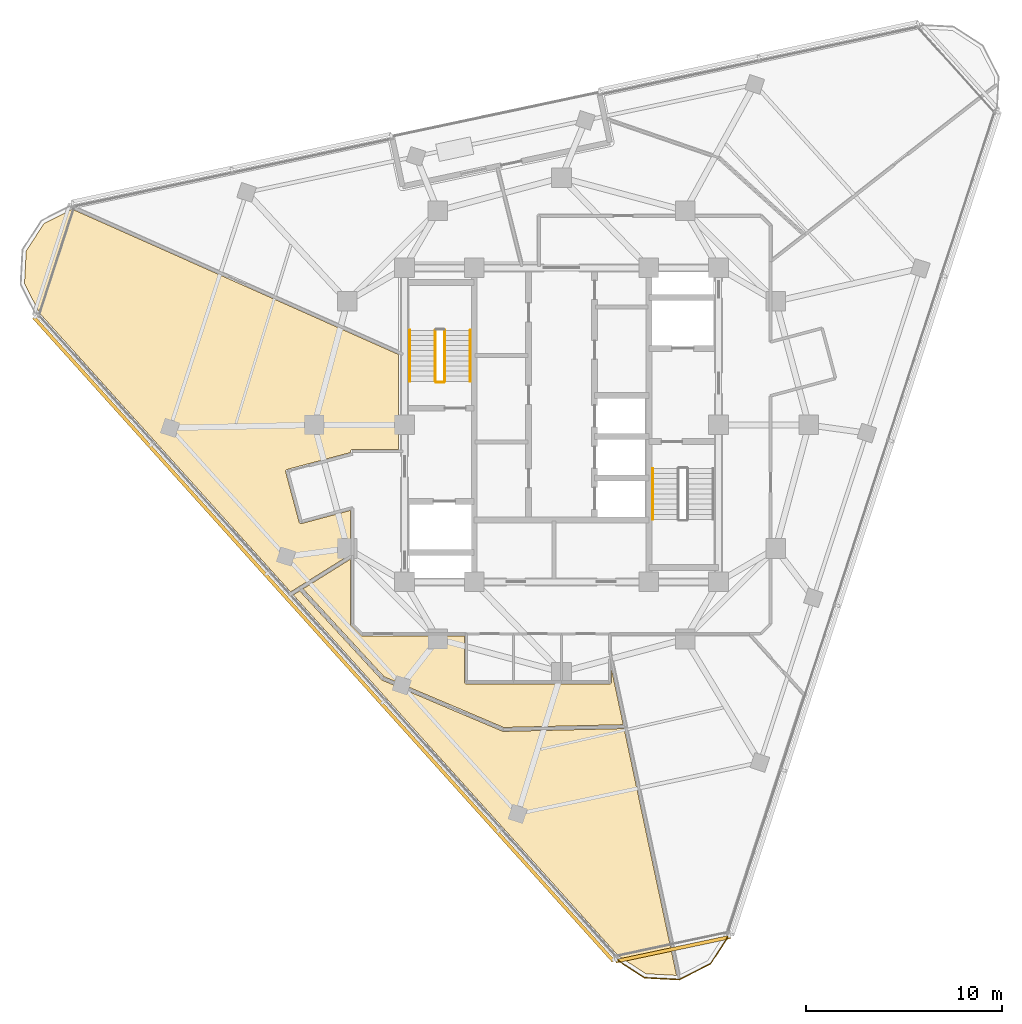
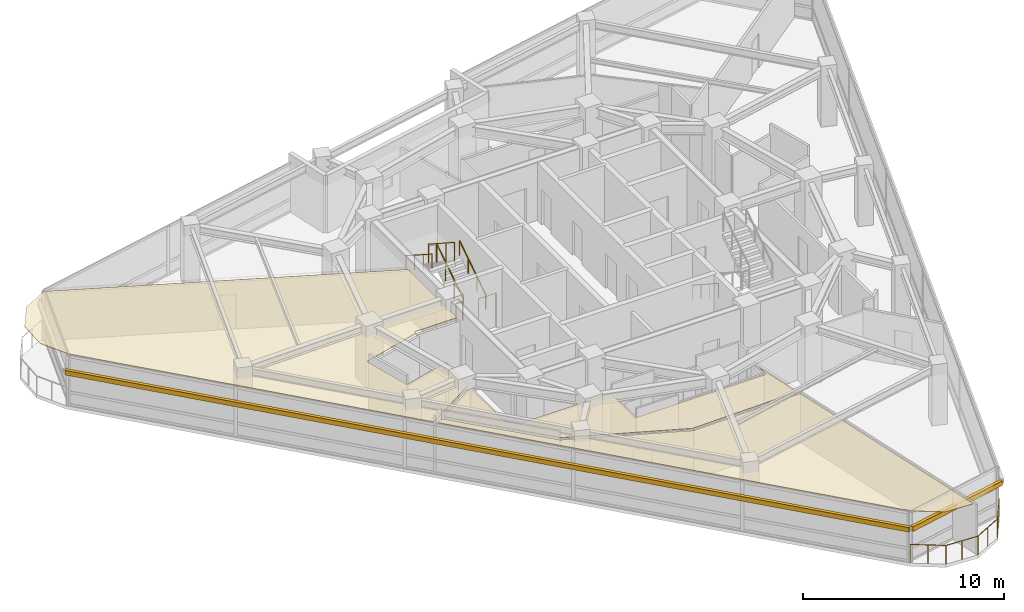
# One storey, part 12 of 15: 7 railings, 3 coverings, 2 shading devices.
"""IFC4 building model written with IfcOpenShell, lengths in metres."""

import ifcopenshell
import ifcopenshell.guid

model = None  # the IFC model being written
_history = None  # IfcOwnerHistory: only IFC2X3 demands one
_inside = {}  # id of a spatial element -> (the spatial element, [elements in it])
_under = {}  # id of a project, library or spatial element -> (it, [spatial elements below it])
_declared = {}  # id of a project -> (the project, [libraries it declares])
_typed = {}  # id of a type object -> (the type object, [elements of that type])
_made_of = {}  # id of a material, layer set ... -> (it, [elements and type objects made of it])


def new_model(schema):
    """Start an empty IFC model of exactly this schema.

    Asked for "IFC4X3", IfcOpenShell would pick the latest addendum, in which some entities
    have other attributes; the version numbers below select the first issue.
    IFC2X3 requires an IfcOwnerHistory on every rooted entity: one is made here for all.
    """
    global model, _history
    if schema == "IFC4X3":
        model = ifcopenshell.file(schema_version=(4, 3, 0, 0))
    else:
        model = ifcopenshell.file(schema=schema)
    _inside.clear()
    _under.clear()
    _declared.clear()
    _typed.clear()
    _made_of.clear()
    _history = None
    if model.schema == "IFC2X3":
        org = make("IfcOrganization", Name="unknown")
        user = make(
            "IfcPersonAndOrganization",
            ThePerson=make("IfcPerson", FamilyName="unknown"),
            TheOrganization=org,
        )
        app = make(
            "IfcApplication",
            ApplicationDeveloper=org,
            Version="unknown",
            ApplicationFullName="unknown",
            ApplicationIdentifier="unknown",
        )
        _history = make(
            "IfcOwnerHistory",
            OwningUser=user,
            OwningApplication=app,
            ChangeAction="ADDED",
            CreationDate=0,
        )
    return model


def make(cls, **values):
    """One entity of the class cls with the attributes given. An attribute that is None is left unset."""
    return model.create_entity(
        cls, **{name: value for name, value in values.items() if value is not None}
    )


def rooted(cls, **values):
    """An entity with a GlobalId (a new one), such as an element, a storey or a relation."""
    return make(cls, GlobalId=ifcopenshell.guid.new(), OwnerHistory=_history, **values)


def si_unit(unit_type, name, prefix=None):
    """IfcSIUnit, for example si_unit("LENGTHUNIT", "METRE", prefix="MILLI")."""
    return make("IfcSIUnit", UnitType=unit_type, Prefix=prefix, Name=name)


def assignment(units):
    """IfcUnitAssignment: the units of a project."""
    return None if units is None else make("IfcUnitAssignment", Units=units)


def point(xyz):
    """IfcCartesianPoint."""
    return None if xyz is None else make("IfcCartesianPoint", Coordinates=xyz)


def direction(xyz):
    """IfcDirection."""
    return None if xyz is None else make("IfcDirection", DirectionRatios=xyz)


def frame(location, z_axis=None, x_axis=None):
    """IfcAxis2Placement3D, a coordinate frame: its origin and axes. An axis left out is left unset."""
    return make(
        "IfcAxis2Placement3D",
        Location=point(location),
        Axis=direction(z_axis),
        RefDirection=direction(x_axis),
    )


def frame_2d(location, x_axis=None):
    """IfcAxis2Placement2D, a coordinate frame in the plane: its origin and x axis."""
    return make(
        "IfcAxis2Placement2D", Location=point(location), RefDirection=direction(x_axis)
    )


def origin():
    """The frame at (0, 0, 0) with its axes left unset."""
    return frame((0.0, 0.0, 0.0))


def origin_2d():
    """The frame at (0, 0) in the plane with its x axis left unset."""
    return frame_2d((0.0, 0.0))


def place(relative_to, where):
    """IfcLocalPlacement: puts the frame where relative to a parent placement (None: the world)."""
    return make(
        "IfcLocalPlacement", PlacementRelTo=relative_to, RelativePlacement=where
    )


def context(
    kind, dimensions, precision=None, world=None, true_north=None, identifier=None
):
    """IfcGeometricRepresentationContext, for example the 3D "Model" context."""
    return make(
        "IfcGeometricRepresentationContext",
        ContextIdentifier=identifier,
        ContextType=kind,
        CoordinateSpaceDimension=dimensions,
        Precision=precision,
        WorldCoordinateSystem=world,
        TrueNorth=true_north,
    )


def subcontext(parent, identifier, kind, view, scale=None):
    """IfcGeometricRepresentationSubContext, for example "Body" below "Model"."""
    return make(
        "IfcGeometricRepresentationSubContext",
        ContextIdentifier=identifier,
        ContextType=kind,
        ParentContext=parent,
        TargetScale=scale,
        TargetView=view,
    )


def project(units=None, contexts=None):
    """IfcProject with its units and contexts."""
    return rooted(
        "IfcProject",
        Name="project",
        RepresentationContexts=contexts,
        UnitsInContext=assignment(units),
    )


def spatial(cls, under=None, at=None, **own):
    """A site, building, storey or space (cls), placed at a placement, below another one or the project."""
    s = rooted(cls, ObjectPlacement=at, **own)
    if under is not None:
        _under.setdefault(under.id(), (under, []))[1].append(s)
    return s


def polyline(points):
    """IfcPolyline through the points."""
    return make("IfcPolyline", Points=[point(p) for p in points])


def profile(cls, at=None, kind="AREA", **sizes):
    """A parametric profile (cls). Its sizes go by their IFC names, for example OverallWidth=200.0."""
    return make(cls, ProfileType=kind, Position=at, **sizes)


def rectangle(**sizes):
    """IfcRectangleProfileDef."""
    return profile("IfcRectangleProfileDef", **sizes)


def circle(**sizes):
    """IfcCircleProfileDef."""
    return profile("IfcCircleProfileDef", **sizes)


def outline(outer, holes=None, kind="AREA"):
    """IfcArbitraryClosedProfileDef: a profile drawn as a closed curve; with holes, ...WithVoids."""
    if holes is None:
        return make("IfcArbitraryClosedProfileDef", ProfileType=kind, OuterCurve=outer)
    return make(
        "IfcArbitraryProfileDefWithVoids",
        ProfileType=kind,
        OuterCurve=outer,
        InnerCurves=holes,
    )


def extrude(swept, where, along, depth):
    """IfcExtrudedAreaSolid: the profile swept, set in the frame where, extruded along a direction by depth."""
    return make(
        "IfcExtrudedAreaSolid",
        SweptArea=swept,
        Position=where,
        ExtrudedDirection=direction(along),
        Depth=depth,
    )


def shape(context_of_items, identifier, shape_type, items):
    """IfcShapeRepresentation: the items that make up one representation, for example the "Body"."""
    return make(
        "IfcShapeRepresentation",
        ContextOfItems=context_of_items,
        RepresentationIdentifier=identifier,
        RepresentationType=shape_type,
        Items=items,
    )


def material(Name=None, Category=None):
    """IfcMaterial."""
    return make("IfcMaterial", Name=Name, Category=Category)


def layer(
    of_material, thickness, ventilated=None, Name=None, Category=None, Priority=None
):
    """IfcMaterialLayer: one layer of a wall or slab, of a material (None: an air gap)."""
    return make(
        "IfcMaterialLayer",
        Material=of_material,
        LayerThickness=thickness,
        IsVentilated=ventilated,
        Name=Name,
        Category=Category,
        Priority=Priority,
    )


def layer_set(layers, Name=None):
    """IfcMaterialLayerSet."""
    return make("IfcMaterialLayerSet", MaterialLayers=layers, LayerSetName=Name)


def made_of(thing, what):
    """Note that an element or type object is made of a material, layer set ...; save() writes the relation."""
    if what is not None:
        _made_of.setdefault(what.id(), (what, []))[1].append(thing)
    return thing


def type_object(cls, material=None, **own):
    """A type object (cls), such as IfcWallType, which elements share."""
    return made_of(rooted(cls, **own), material)


def element(
    cls,
    number,
    at=None,
    inside=None,
    cuts=None,
    type_object=None,
    material=None,
    context=None,
    identifier="Body",
    shape_type=None,
    held_by="IfcProductDefinitionShape",
    body=None,
    shapes=None,
    **own,
):
    """One element of the class cls, such as IfcWall. Its Tag is "e" and its number.

    at: its placement. inside: the storey or other place that contains it. cuts: it is an
    opening in that element (IfcRelVoidsElement). A single representation is given by context,
    identifier, shape_type and body (its items); several are given by shapes. held_by: the class
    of the entity that holds the representations. save() writes the other relations.
    """
    e = rooted(cls, Tag="e%d" % number, ObjectPlacement=at, **own)
    if body is not None:
        shapes = [shape(context, identifier, shape_type, body)]
    if shapes is not None:
        e.Representation = make(held_by, Representations=shapes)
    if inside is not None:
        _inside.setdefault(inside.id(), (inside, []))[1].append(e)
    if cuts is not None:
        rooted(
            "IfcRelVoidsElement", RelatingBuildingElement=cuts, RelatedOpeningElement=e
        )
    if type_object is not None:
        _typed.setdefault(type_object.id(), (type_object, []))[1].append(e)
    return made_of(e, material)


def aggregate(whole, parts):
    """IfcRelAggregates: a whole, such as a stair, and the parts it consists of."""
    return rooted("IfcRelAggregates", RelatingObject=whole, RelatedObjects=parts)


def save(model, path):
    """Write the relations noted so far, then the file.

    IfcRelAggregates (storeys below a building ...), IfcRelContainedInSpatialStructure (elements
    in a storey), IfcRelDefinesByType, IfcRelAssociatesMaterial and IfcRelDeclares: one each for
    every whole, place, type object, material and project.
    """
    for whole, parts in _under.values():
        aggregate(whole, parts)
    for where, things in _inside.values():
        rooted(
            "IfcRelContainedInSpatialStructure",
            RelatedElements=things,
            RelatingStructure=where,
        )
    for kind, things in _typed.values():
        rooted("IfcRelDefinesByType", RelatedObjects=things, RelatingType=kind)
    for what, things in _made_of.values():
        rooted("IfcRelAssociatesMaterial", RelatedObjects=things, RelatingMaterial=what)
    for by, libraries in _declared.values():
        rooted("IfcRelDeclares", RelatingContext=by, RelatedDefinitions=libraries)
    model.write(path)


model = new_model("IFC4")

# Units and contexts
model_context = context("Model", 3, precision=1e-05, world=origin(), true_north=direction((0.0, 1.0)))
body_context = subcontext(model_context, "Body", "Model", "MODEL_VIEW")
ifc_project = project(units=[si_unit("LENGTHUNIT", "METRE"), si_unit("AREAUNIT", "SQUARE_METRE"), si_unit("VOLUMEUNIT", "CUBIC_METRE"), si_unit("PLANEANGLEUNIT", "RADIAN"), si_unit("MASSUNIT", "GRAM", prefix="KILO")], contexts=[model_context])

# Site, building, storey
site_placement = place(None, origin())
site = spatial("IfcSite", under=ifc_project, at=site_placement, CompositionType="ELEMENT")
building_placement = place(site_placement, origin())
building = spatial("IfcBuilding", under=site, at=building_placement, Name="Terralouvre Media Tower", CompositionType="ELEMENT")
storey_placement = place(building_placement, frame((0.0, 0.0, 290.60009765625)))
storey = spatial("IfcBuildingStorey", under=building, at=storey_placement, Name="L75", CompositionType="ELEMENT", Elevation=290.60009765625)

# Coverings
ifc_material_1 = material(Name="Perforated aluminium acoustic ceiling baffle", Category="aluminium")
ifc_layer_1 = layer(ifc_material_1, 0.0400390625, Name="Perforated Acoustic Metal Tile Ceiling CL-AC1")
ifc_layer_set_1 = layer_set([ifc_layer_1], Name="Perforated aluminium acoustic ceiling baffle")
covering_type = type_object("IfcCoveringType", Name="Perforated Acoustic Metal Tile Ceiling CL-AC1", PredefinedType="CEILING", material=ifc_layer_set_1)
covering_1_placement = place(storey_placement, frame((0.0, 0.0, 2.97998046875), z_axis=(0.0, 0.0, 1.0), x_axis=(0.309016994375, 0.951056516295, 0.0)))
element("IfcCovering", 1, at=covering_1_placement, inside=storey, type_object=covering_type, Name="L75 Admissions Reception 1 Acoustic Ceiling", PredefinedType="CEILING", context=body_context, shape_type="SweptSolid", body=[
    extrude(outline(polyline([(-9.5986328125, 8.1845703125), (-7.464111328125, 8.8779296875), (-8.87451171875, 11.049560546875), (-8.87939453125, 11.05810546875), (-8.883544921875, 11.06689453125), (-8.88671875, 11.076416015625), (-8.888916015625, 11.0859375), (-8.89013671875, 11.095458984375), (-8.890625, 11.10546875), (-8.889892578125, 11.115234375), (-8.888427734375, 11.124755859375), (-8.885986328125, 11.13427734375), (-8.882568359375, 11.1435546875), (-8.878173828125, 11.15234375), (-8.873046875, 11.16064453125), (-8.866943359375, 11.16845703125), (-8.8603515625, 11.17578125), (-8.85302734375, 11.18212890625), (-8.844970703125, 11.18798828125), (-6.621826171875, 12.63037109375), (-6.613525390625, 12.635498046875), (-6.6044921875, 12.639404296875), (-6.59521484375, 12.642578125), (-6.585693359375, 12.644775390625), (-6.576171875, 12.646240234375), (-6.566162109375, 12.646484375), (-6.556396484375, 12.64599609375), (-6.546875, 12.644287109375), (-6.537109375, 12.641845703125), (-6.528076171875, 12.638427734375), (-6.519287109375, 12.634033203125), (-6.510986328125, 12.62890625), (-6.503173828125, 12.623046875), (-6.495849609375, 12.616455078125), (-6.489501953125, 12.60888671875), (-6.483642578125, 12.60107421875), (-4.658447265625, 9.78955078125), (-4.60595703125, 9.806640625), (-4.596435546875, 9.809326171875), (-4.586669921875, 9.810791015625), (-4.576904296875, 9.8115234375), (-4.567138671875, 9.811279296875), (-4.557373046875, 9.81005859375), (-4.5478515625, 9.807861328125), (-4.53857421875, 9.8046875), (-4.529541015625, 9.80078125), (-4.52099609375, 9.795654296875), (-4.51318359375, 9.7900390625), (-4.505615234375, 9.78369140625), (-4.4990234375, 9.776611328125), (-4.492919921875, 9.768798828125), (-4.48779296875, 9.760498046875), (-4.4833984375, 9.751708984375), (-4.479736328125, 9.742431640625), (-3.7568359375, 7.51708984375), (0.846435546875, 9.0126953125), (2.7490234375, 27.111572265625), (1.6064453125, 28.255126953125), (0.0, 28.684326171875), (-1.606201171875, 28.254150390625), (-2.803466796875, 27.057861328125), (-12.361328125, 10.5029296875), (-11.97607421875, 10.179443359375), (-9.5986328125, 8.1845703125)])), origin(), (0.0, 0.0, 1.0), 0.0400390625),
])
covering_2_placement = place(storey_placement, frame((0.0, 0.0, 2.97998046875), z_axis=(0.0, 0.0, 1.0), x_axis=(0.309016994375, 0.951056516295, 0.0)))
element("IfcCovering", 2, at=covering_2_placement, inside=storey, type_object=covering_type, Name="L75 Journalism Training Classroom 3 Acoustic Ceiling", PredefinedType="CEILING", context=body_context, shape_type="SweptSolid", body=[
    extrude(outline(polyline([(-14.998291015625, 4.633056640625), (-15.57470703125, -1.9580078125), (-13.55615234375, -7.711669921875), (-11.078369140625, -6.28076171875), (-11.6708984375, -6.473388671875), (-11.680419921875, -6.475830078125), (-11.68994140625, -6.4775390625), (-11.69970703125, -6.478271484375), (-11.709716796875, -6.47802734375), (-11.71923828125, -6.4765625), (-11.72900390625, -6.474365234375), (-11.738037109375, -6.471435546875), (-11.7470703125, -6.46728515625), (-11.755615234375, -6.46240234375), (-11.763671875, -6.456787109375), (-11.77099609375, -6.4501953125), (-11.77783203125, -6.443115234375), (-11.78369140625, -6.435302734375), (-11.7890625, -6.427001953125), (-11.79345703125, -6.418212890625), (-11.796875, -6.4091796875), (-14.052734375, 0.53369140625), (-14.05517578125, 0.54296875), (-14.056884765625, 0.552734375), (-14.0576171875, 0.5625), (-14.057373046875, 0.572265625), (-14.055908203125, 0.58203125), (-14.0537109375, 0.591796875), (-14.05078125, 0.600830078125), (-14.046630859375, 0.60986328125), (-14.041748046875, 0.618408203125), (-14.0361328125, 0.62646484375), (-14.029541015625, 0.6337890625), (-14.0224609375, 0.640625), (-14.0146484375, 0.646484375), (-14.00634765625, 0.65185546875), (-13.99755859375, 0.656005859375), (-13.988525390625, 0.65966796875), (-11.75341796875, 1.3857421875), (-13.3603515625, 6.331298828125), (-13.363037109375, 6.3408203125), (-13.364501953125, 6.350341796875), (-13.365234375, 6.360107421875), (-13.364990234375, 6.3701171875), (-13.36376953125, 6.379638671875), (-13.361572265625, 6.389404296875), (-13.3583984375, 6.398681640625), (-13.354248046875, 6.407470703125), (-13.033447265625, 7.03759765625), (-13.0283203125, 7.046142578125), (-13.022705078125, 7.05419921875), (-13.016357421875, 7.0615234375), (-13.00927734375, 7.068359375), (-13.00146484375, 7.07421875), (-12.9931640625, 7.07958984375), (-12.984375, 7.083740234375), (-12.97509765625, 7.08740234375), (-9.82275390625, 8.111572265625), (-12.01220703125, 9.94873046875), (-14.998291015625, 4.633056640625)])), origin(), (0.0, 0.0, 1.0), 0.0400390625),
])
covering_3_placement = place(storey_placement, frame((0.0, 0.0, 2.97998046875), z_axis=(0.0, 0.0, 1.0), x_axis=(0.309016994375, 0.951056516295, 0.0)))
element("IfcCovering", 3, at=covering_3_placement, inside=storey, type_object=covering_type, Name="L75 Broadcast Ethics Seminar Room 4 Acoustic Ceiling", PredefinedType="CEILING", context=body_context, shape_type="SweptSolid", body=[
    extrude(outline(polyline([(-15.770751953125, -2.003662109375), (-15.773681640625, -1.99365234375), (-15.775390625, -1.983154296875), (-15.7763671875, -1.97265625), (-15.77587890625, -1.9619140625), (-15.195556640625, 4.672119140625), (-15.194091796875, 4.6826171875), (-15.19140625, 4.69287109375), (-15.187744140625, 4.702880859375), (-15.18310546875, 4.71240234375), (-12.16796875, 10.07958984375), (-12.462890625, 10.3271484375), (-24.83447265625, -11.10107421875), (-25.272705078125, -12.736083984375), (-24.86865234375, -14.241943359375), (-13.732421875, -7.8134765625), (-15.770751953125, -2.003662109375)])), origin(), (0.0, 0.0, 1.0), 0.0400390625),
])

# Railings
ifc_material_2 = material(Name="Stainless steel 316 handrail and balustrade", Category="steel")
ifc_layer_2 = layer(ifc_material_2, 0.06005859375, Name="Roof Edge Safety Guardrail GR-ROOF1")
ifc_layer_set_2 = layer_set([ifc_layer_2], Name="Stainless steel 316 handrail and balustrade")
railing_type_1 = type_object("IfcRailingType", Name="Roof Edge Safety Guardrail GR-ROOF1", PredefinedType="GUARDRAIL", material=ifc_layer_set_2)
railing_1_placement = place(storey_placement, frame((2.738037109375, -27.202880859375, 0.0)))
element("IfcRailing", 4, at=railing_1_placement, inside=storey, type_object=railing_type_1, Name="L75 Wind-Corner Perimeter Safety Guardrail C0", PredefinedType="GUARDRAIL", context=body_context, shape_type="SweptSolid", body=[
    extrude(circle(Radius=0.02099609375, at=origin_2d()), frame((0.0, 0.0, 1.12890625), z_axis=(0.838512544294, -0.544882292849, 0.0), x_axis=(0.544882292849, 0.838512544294, 0.0)), (0.0, 0.0, 1.0), 1.780029296875),
    extrude(circle(Radius=0.02099609375, at=origin_2d()), frame((1.49267578125, -0.969970703125, 1.12890625), z_axis=(0.998626153307, -0.052400438264, 0.0), x_axis=(0.052400438264, 0.998626153307, 0.0)), (0.0, 0.0, 1.0), 1.77978515625),
    extrude(circle(Radius=0.02099609375, at=origin_2d()), frame((3.27001953125, -1.063232421875, 1.12890625), z_axis=(0.890999717441, 0.454003858487, 0.0), x_axis=(-0.454003858487, 0.890999717441, 0.0)), (0.0, 0.0, 1.0), 1.780029296875),
    extrude(circle(Radius=0.02099609375, at=origin_2d()), frame((4.85595703125, -0.255126953125, 1.12890625), z_axis=(0.544371122697, 0.838844491413, 0.0), x_axis=(-0.838844491413, 0.544371122697, 0.0)), (0.0, 0.0, 1.0), 1.780029296875),
    extrude(circle(Radius=0.01904296875, at=origin_2d()), origin(), (0.0, 0.0, 1.0), 1.10791015625),
    extrude(circle(Radius=0.01904296875, at=origin_2d()), frame((0.746337890625, -0.48486328125, 0.0)), (0.0, 0.0, 1.0), 1.10791015625),
    extrude(circle(Radius=0.01904296875, at=origin_2d()), frame((1.49267578125, -0.969970703125, 0.0)), (0.0, 0.0, 1.0), 1.10791015625),
    extrude(circle(Radius=0.01904296875, at=origin_2d()), frame((2.38134765625, -1.0166015625, 0.0)), (0.0, 0.0, 1.0), 1.10791015625),
    extrude(circle(Radius=0.01904296875, at=origin_2d()), frame((3.27001953125, -1.063232421875, 0.0)), (0.0, 0.0, 1.0), 1.10791015625),
    extrude(circle(Radius=0.01904296875, at=origin_2d()), frame((4.06298828125, -0.6591796875, 0.0)), (0.0, 0.0, 1.0), 1.10791015625),
    extrude(circle(Radius=0.01904296875, at=origin_2d()), frame((4.85595703125, -0.255126953125, 0.0)), (0.0, 0.0, 1.0), 1.10791015625),
    extrude(circle(Radius=0.01904296875, at=origin_2d()), frame((5.34033203125, 0.491455078125, 0.0)), (0.0, 0.0, 1.0), 1.10791015625),
    extrude(circle(Radius=0.01904296875, at=origin_2d()), frame((5.824951171875, 1.238037109375, 0.0)), (0.0, 0.0, 1.0), 1.10791015625),
])
ifc_material_3 = material(Name="Stainless steel 316 handrail and balustrade", Category="steel")
ifc_layer_3 = layer(ifc_material_3, 0.050048828125, Name="Stair Flight Wall Handrail HR-INT1")
ifc_layer_set_3 = layer_set([ifc_layer_3], Name="Stainless steel 316 handrail and balustrade")
railing_type_2 = type_object("IfcRailingType", Name="Stair Flight Wall Handrail HR-INT1", PredefinedType="HANDRAIL", material=ifc_layer_set_3)
railing_2_placement = place(storey_placement, frame((-4.64990234375, 2.219970703125, 0.16796875)))
element("IfcRailing", 5, at=railing_2_placement, inside=storey, type_object=railing_type_2, Name="L75 ST-01 stair handrail 1", PredefinedType="HANDRAIL", context=body_context, shape_type="SweptSolid", body=[
    extrude(circle(Radius=0.02392578125, at=origin_2d()), frame((0.0, 0.0, 0.8759765625), z_axis=(0.0, 0.839648411786, 0.543130320075), x_axis=(-1.0, 0.0, 0.0)), (0.0, 0.0, 1.0), 3.0966796875),
    extrude(circle(Radius=0.02099609375, at=origin_2d()), origin(), (0.0, 0.0, 1.0), 0.851806640625),
    extrude(circle(Radius=0.02099609375, at=origin_2d()), frame((0.0, 0.86669921875, 0.560546875)), (0.0, 0.0, 1.0), 0.851806640625),
    extrude(circle(Radius=0.02099609375, at=origin_2d()), frame((0.0, 1.7333984375, 1.121337890625)), (0.0, 0.0, 1.0), 0.851806640625),
    extrude(circle(Radius=0.02099609375, at=origin_2d()), frame((0.0, 2.60009765625, 1.681884765625)), (0.0, 0.0, 1.0), 0.851806640625),
])
for number, where, name in (
    (6, (-7.72998046875, 4.820068359375, 2.01806640625), "L75 ST-01 stair handrail 2"),
    (7, (4.64990234375, -2.219970703125, 0.16796875), "L75 ST-02 stair handrail 1"),
):
    element("IfcRailing", number, at=place(storey_placement, frame(where)), inside=storey, type_object=railing_type_2, Name=name, PredefinedType="HANDRAIL", context=body_context, shape_type="SweptSolid", body=[
        extrude(circle(Radius=0.02392578125, at=origin_2d()), frame((0.0, 0.0, 0.8759765625), z_axis=(0.0, -0.839648411786, 0.543130320075), x_axis=(1.0, 0.0, 0.0)), (0.0, 0.0, 1.0), 3.0966796875),
        extrude(circle(Radius=0.02099609375, at=origin_2d()), origin(), (0.0, 0.0, 1.0), 0.851806640625),
        extrude(circle(Radius=0.02099609375, at=origin_2d()), frame((0.0, -0.86669921875, 0.560546875)), (0.0, 0.0, 1.0), 0.851806640625),
        extrude(circle(Radius=0.02099609375, at=origin_2d()), frame((0.0, -1.7333984375, 1.121337890625)), (0.0, 0.0, 1.0), 0.851806640625),
        extrude(circle(Radius=0.02099609375, at=origin_2d()), frame((0.0, -2.60009765625, 1.681884765625)), (0.0, 0.0, 1.0), 0.851806640625),
    ])
ifc_material_4 = material(Name="Stainless steel 316 handrail and balustrade", Category="steel")
ifc_layer_4 = layer(ifc_material_4, 0.050048828125, Name="Stairwell Safety Guardrail GR-INT1")
ifc_layer_set_4 = layer_set([ifc_layer_4], Name="Stainless steel 316 handrail and balustrade")
railing_type_3 = type_object("IfcRailingType", Name="Stairwell Safety Guardrail GR-INT1", PredefinedType="GUARDRAIL", material=ifc_layer_set_4)
railing_3_placement = place(storey_placement, frame((-5.949951171875, 2.219970703125, 0.16796875)))
element("IfcRailing", 8, at=railing_3_placement, inside=storey, type_object=railing_type_3, Name="L75 ST-01 stair guard 1", PredefinedType="GUARDRAIL", context=body_context, shape_type="SweptSolid", body=[
    extrude(circle(Radius=0.02392578125, at=origin_2d()), frame((0.0, 0.0, 1.1259765625), z_axis=(0.0, 0.839648411786, 0.543130320075), x_axis=(-1.0, 0.0, 0.0)), (0.0, 0.0, 1.0), 3.0966796875),
    extrude(circle(Radius=0.02099609375, at=origin_2d()), origin(), (0.0, 0.0, 1.0), 1.101806640625),
    extrude(circle(Radius=0.02099609375, at=origin_2d()), frame((0.0, 0.86669921875, 0.560546875)), (0.0, 0.0, 1.0), 1.101806640625),
    extrude(circle(Radius=0.02099609375, at=origin_2d()), frame((0.0, 1.7333984375, 1.121337890625)), (0.0, 0.0, 1.0), 1.101806640625),
    extrude(circle(Radius=0.02099609375, at=origin_2d()), frame((0.0, 2.60009765625, 1.681884765625)), (0.0, 0.0, 1.0), 1.101806640625),
])
railing_4_placement = place(storey_placement, frame((-6.429931640625, 4.820068359375, 2.01806640625)))
element("IfcRailing", 9, at=railing_4_placement, inside=storey, type_object=railing_type_3, Name="L75 ST-01 stair guard 3", PredefinedType="GUARDRAIL", context=body_context, shape_type="SweptSolid", body=[
    extrude(circle(Radius=0.02392578125, at=origin_2d()), frame((0.0, 0.0, 1.1259765625), z_axis=(0.0, -0.839648411786, 0.543130320075), x_axis=(1.0, 0.0, 0.0)), (0.0, 0.0, 1.0), 3.0966796875),
    extrude(circle(Radius=0.02099609375, at=origin_2d()), origin(), (0.0, 0.0, 1.0), 1.101806640625),
    extrude(circle(Radius=0.02099609375, at=origin_2d()), frame((0.0, -0.86669921875, 0.560546875)), (0.0, 0.0, 1.0), 1.101806640625),
    extrude(circle(Radius=0.02099609375, at=origin_2d()), frame((0.0, -1.7333984375, 1.121337890625)), (0.0, 0.0, 1.0), 1.101806640625),
    extrude(circle(Radius=0.02099609375, at=origin_2d()), frame((0.0, -2.60009765625, 1.681884765625)), (0.0, 0.0, 1.0), 1.101806640625),
])
railing_5_placement = place(storey_placement, frame((-6.0, 2.169921875, 0.0)))
element("IfcRailing", 10, at=railing_5_placement, inside=storey, type_object=railing_type_3, Name="L75 ST-01 stair guard 4", PredefinedType="GUARDRAIL", context=body_context, shape_type="SweptSolid", body=[
    extrude(circle(Radius=0.02392578125, at=origin_2d()), frame((0.0, 0.0, 1.1259765625), z_axis=(-1.0, 0.0, 0.0), x_axis=(0.0, -1.0, 0.0)), (0.0, 0.0, 1.0), 0.3798828125),
    extrude(circle(Radius=0.02099609375, at=origin_2d()), origin(), (0.0, 0.0, 1.0), 1.101806640625),
    extrude(circle(Radius=0.02099609375, at=origin_2d()), frame((-0.3798828125, 0.0, 0.0)), (0.0, 0.0, 1.0), 1.101806640625),
])

# Shading devices
ifc_material_5 = material(Name="Extruded terracotta baguette sunshade louvres", Category="masonry")
shading_device_type = type_object("IfcShadingDeviceType", Name="Terracotta Baguette Sunshade Louvre Screen TB-LV1", PredefinedType="USERDEFINED", material=ifc_material_5)
shading_device_1_placement = place(storey_placement, frame((-12.12548828125, -10.917724609375, 2.02392578125), z_axis=(0.0, 0.0, 1.0), x_axis=(0.669130573531, -0.743144855036, 0.0)))
element("IfcShadingDevice", 11, at=shading_device_1_placement, inside=storey, type_object=shading_device_type, Name="CW-L75-F2 Terracotta Baguette Sunshade Louvre", ObjectType="BAGUETTE", PredefinedType="USERDEFINED", context=body_context, shape_type="SweptSolid", body=[
    extrude(rectangle(XDim=44.1201171875, YDim=0.179931640625, at=origin_2d()), origin(), (0.0, 0.0, 1.0), 0.280029296875),
])
shading_device_2_placement = place(storey_placement, frame((5.6787109375, -26.7158203125, 2.02392578125), z_axis=(0.0, 0.0, 1.0), x_axis=(0.978147609922, 0.207911647592, 0.0)))
element("IfcShadingDevice", 12, at=shading_device_2_placement, inside=storey, type_object=shading_device_type, Name="CW-L75-C0 Terracotta Baguette Sunshade Louvre", ObjectType="BAGUETTE", PredefinedType="USERDEFINED", context=body_context, shape_type="SweptSolid", body=[
    extrude(rectangle(XDim=5.958251953125, YDim=0.179931640625, at=origin_2d()), origin(), (0.0, 0.0, 1.0), 0.280029296875),
])

save(model, "model.ifc")
